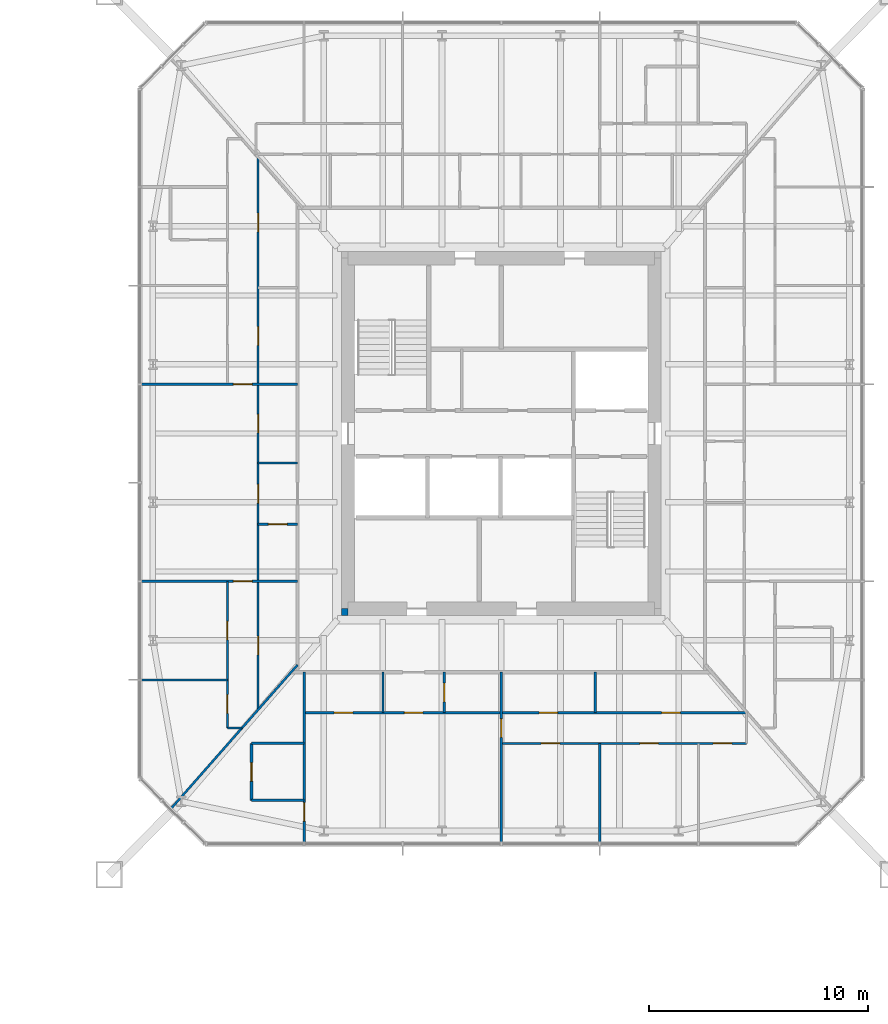
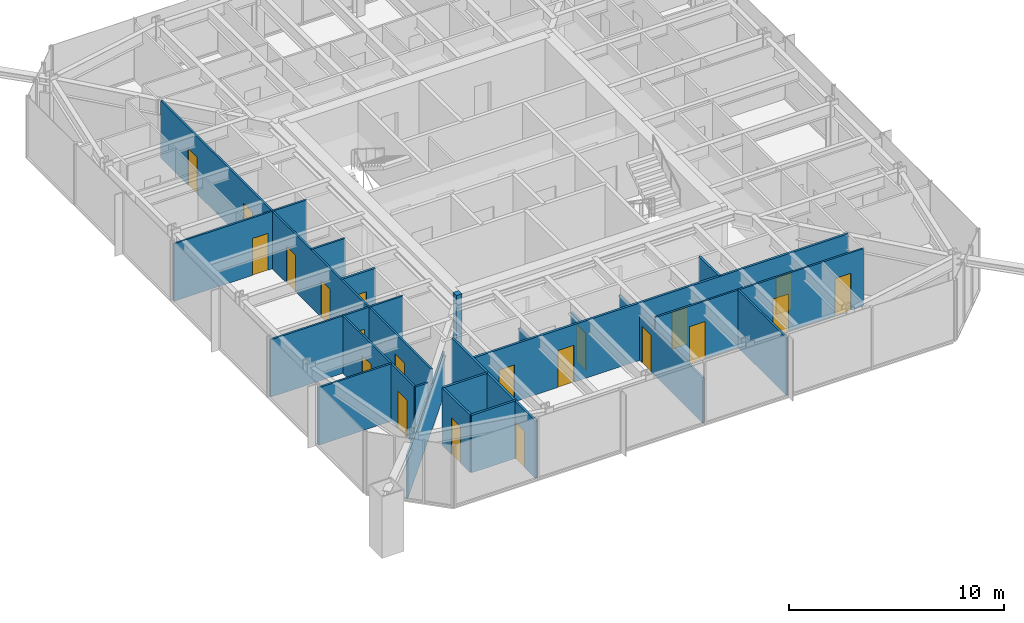
# One storey, part 18 of 26: 21 doors, 21 walls, 21 openings.
"""IFC4 building model written with IfcOpenShell, lengths in metres."""

from ifc_helpers import new_model, si_unit, direction, frame, frame_2d, origin, place, context, subcontext, project, spatial, rectangle, extrude, material, layer, layer_set, type_object, element, fill, save


model = new_model("IFC4")

# Units and contexts
model_context = context("Model", 3, precision=1e-05, world=origin(), true_north=direction((0.0, 1.0)))
body_context = subcontext(model_context, "Body", "Model", "MODEL_VIEW")
ifc_project = project(units=[si_unit("LENGTHUNIT", "METRE"), si_unit("AREAUNIT", "SQUARE_METRE"), si_unit("VOLUMEUNIT", "CUBIC_METRE"), si_unit("PLANEANGLEUNIT", "RADIAN"), si_unit("MASSUNIT", "GRAM", prefix="KILO")], contexts=[model_context])

# Site, building, storey
site_placement = place(None, origin())
site = spatial("IfcSite", under=ifc_project, at=site_placement, CompositionType="ELEMENT")
building_placement = place(site_placement, origin())
building = spatial("IfcBuilding", under=site, at=building_placement, Name="Iwan Alto Co-Living Towers", CompositionType="ELEMENT")
storey_placement = place(building_placement, frame((0.0, 0.0, 22.0)))
storey = spatial("IfcBuildingStorey", under=building, at=storey_placement, Name="L05", CompositionType="ELEMENT", Elevation=22.0)

# Wall, openings, doors
ifc_material_1 = material(Name="Gypsum board")
ifc_layer_1 = layer(ifc_material_1, 0.012451171875, Name="Board", Category="Finish")
ifc_material_2 = material(Name="Steel ASTM A1003 ST33H cold-formed studs", Category="steel")
ifc_layer_2 = layer(ifc_material_2, 0.074951171875, Name="Studs", Category="Framing")
ifc_layer_3 = layer(ifc_material_1, 0.012451171875, Name="Board", Category="Finish")
ifc_layer_set_1 = layer_set([ifc_layer_1, ifc_layer_2, ifc_layer_3], Name="PARTITION 100")
wall_type_1 = type_object("IfcWallType", Name="PARTITION 100", PredefinedType="PARTITIONING", material=ifc_layer_set_1)
wall_1_placement = place(storey_placement, frame((63.0, -14.14990234375, 0.0), z_axis=(0.0, 0.0, 1.0), x_axis=(1.0, 0.0, 0.0)))
wall_1 = element("IfcWall", 1, at=wall_1_placement, inside=storey, type_object=wall_type_1, Name="Partition L05", PredefinedType="PARTITIONING", context=body_context, shape_type="SweptSolid", body=[
    extrude(rectangle(XDim=11.199951171875, YDim=0.10009765625, at=frame_2d((5.60009765625, 0.0))), origin(), (0.0, 0.0, 1.0), 3.27001953125),
])
opening_1_placement = place(wall_1_placement, frame((1.824951171875, 0.0, 0.0)))
opening_1 = element("IfcOpeningElement", 2, at=opening_1_placement, cuts=wall_1, Name="Opening D2", PredefinedType="OPENING", context=body_context, shape_type="SweptSolid", body=[
    extrude(rectangle(XDim=0.85009765625, YDim=2.10009765625, at=frame_2d((0.425048828125, 1.050048828125))), frame((0.0, 0.06005859375, 0.0), z_axis=(0.0, -1.0, 0.0), x_axis=(1.0, 0.0, 0.0)), (0.0, 0.0, 1.0), 0.1201171875),
])
opening_2_placement = place(wall_1_placement, frame((6.324951171875, 0.0, 0.0)))
opening_2 = element("IfcOpeningElement", 3, at=opening_2_placement, cuts=wall_1, Name="Opening D2", PredefinedType="OPENING", context=body_context, shape_type="SweptSolid", body=[
    extrude(rectangle(XDim=0.85009765625, YDim=2.10009765625, at=frame_2d((0.425048828125, 1.050048828125))), frame((0.0, 0.06005859375, 0.0), z_axis=(0.0, -1.0, 0.0), x_axis=(1.0, 0.0, 0.0)), (0.0, 0.0, 1.0), 0.1201171875),
])
opening_3_placement = place(wall_1_placement, frame((9.675048828125, 0.0, 0.0)))
opening_3 = element("IfcOpeningElement", 4, at=opening_3_placement, cuts=wall_1, Name="Opening D2", PredefinedType="OPENING", context=body_context, shape_type="SweptSolid", body=[
    extrude(rectangle(XDim=0.85009765625, YDim=2.10009765625, at=frame_2d((0.425048828125, 1.050048828125))), frame((0.0, 0.06005859375, 0.0), z_axis=(0.0, -1.0, 0.0), x_axis=(1.0, 0.0, 0.0)), (0.0, 0.0, 1.0), 0.1201171875),
])
ifc_material_3 = material(Name="Timber leaf in steel frame", Category="steel")
door_type = type_object("IfcDoorType", Name="ROOM DOOR 850X2100", OperationType="SINGLE_SWING_LEFT", PredefinedType="DOOR", material=ifc_material_3)
door_1_placement = place(opening_1_placement, frame((0.85009765625, 0.0, 0.0), z_axis=(0.0, 0.0, 1.0), x_axis=(-1.0, 0.0, 0.0)))
door_1 = element("IfcDoor", 5, at=door_1_placement, inside=storey, type_object=door_type, Name="Bedroom door L05", OperationType="SINGLE_SWING_RIGHT", OverallHeight=2.10009765625, OverallWidth=0.85009765625, PredefinedType="DOOR", context=body_context, shape_type="SweptSolid", body=[
    extrude(rectangle(XDim=0.85009765625, YDim=2.10009765625, at=frame_2d((0.425048828125, 1.050048828125))), frame((0.0, 0.02490234375, 0.0), z_axis=(0.0, -1.0, 0.0), x_axis=(1.0, 0.0, 0.0)), (0.0, 0.0, 1.0), 0.050048828125),
])
fill(opening_1, door_1)
door_2_placement = place(opening_2_placement, frame((0.85009765625, 0.0, 0.0), z_axis=(0.0, 0.0, 1.0), x_axis=(-1.0, 0.0, 0.0)))
door_2 = element("IfcDoor", 6, at=door_2_placement, inside=storey, type_object=door_type, Name="Study door L05", OperationType="SINGLE_SWING_RIGHT", OverallHeight=2.10009765625, OverallWidth=0.85009765625, PredefinedType="DOOR", context=body_context, shape_type="SweptSolid", body=[
    extrude(rectangle(XDim=0.85009765625, YDim=2.10009765625, at=frame_2d((0.425048828125, 1.050048828125))), frame((0.0, 0.02490234375, 0.0), z_axis=(0.0, -1.0, 0.0), x_axis=(1.0, 0.0, 0.0)), (0.0, 0.0, 1.0), 0.050048828125),
])
fill(opening_2, door_2)
door_3_placement = place(opening_3_placement, frame((0.85009765625, 0.0, 0.0), z_axis=(0.0, 0.0, 1.0), x_axis=(-1.0, 0.0, 0.0)))
door_3 = element("IfcDoor", 7, at=door_3_placement, inside=storey, type_object=door_type, Name="Bedroom door L05", OperationType="SINGLE_SWING_RIGHT", OverallHeight=2.10009765625, OverallWidth=0.85009765625, PredefinedType="DOOR", context=body_context, shape_type="SweptSolid", body=[
    extrude(rectangle(XDim=0.85009765625, YDim=2.10009765625, at=frame_2d((0.425048828125, 1.050048828125))), frame((0.0, 0.02490234375, 0.0), z_axis=(0.0, -1.0, 0.0), x_axis=(1.0, 0.0, 0.0)), (0.0, 0.0, 1.0), 0.050048828125),
])
fill(opening_3, door_3)

# Walls
wall_2_placement = place(storey_placement, frame((50.5, -13.449951171875, 0.0), z_axis=(0.0, 0.0, 1.0), x_axis=(1.0, 0.0, 0.0)))
element("IfcWall", 8, at=wall_2_placement, inside=storey, type_object=wall_type_1, Name="Partition L05", PredefinedType="PARTITIONING", context=body_context, shape_type="SweptSolid", body=[
    extrude(rectangle(XDim=0.6640625, YDim=0.10009765625, at=frame_2d((0.33203125, 0.0))), origin(), (0.0, 0.0, 1.0), 3.27001953125),
])
wall_3_placement = place(storey_placement, frame((46.56005859375, -11.25, 0.0), z_axis=(0.0, 0.0, 1.0), x_axis=(1.0, 0.0, 0.0)))
element("IfcWall", 9, at=wall_3_placement, inside=storey, type_object=wall_type_1, Name="Partition L05", PredefinedType="PARTITIONING", context=body_context, shape_type="SweptSolid", body=[
    extrude(rectangle(XDim=3.93994140625, YDim=0.10009765625, at=frame_2d((1.969970703125, 0.0))), origin(), (0.0, 0.0, 1.0), 3.27001953125),
])

# Wall, opening, door
wall_4_placement = place(storey_placement, frame((46.56005859375, -6.75, 0.0), z_axis=(0.0, 0.0, 1.0), x_axis=(1.0, 0.0, 0.0)))
wall_4 = element("IfcWall", 10, at=wall_4_placement, inside=storey, type_object=wall_type_1, Name="Partition L05", PredefinedType="PARTITIONING", context=body_context, shape_type="SweptSolid", body=[
    extrude(rectangle(XDim=7.139892578125, YDim=0.10009765625, at=frame_2d((3.56982421875, 0.0))), origin(), (0.0, 0.0, 1.0), 3.27001953125),
])
opening_4_placement = place(wall_4_placement, frame((4.215087890625, 0.0, 0.0)))
opening_4 = element("IfcOpeningElement", 11, at=opening_4_placement, cuts=wall_4, Name="Opening D2", PredefinedType="OPENING", context=body_context, shape_type="SweptSolid", body=[
    extrude(rectangle(XDim=0.85009765625, YDim=2.10009765625, at=frame_2d((0.425048828125, 1.050048828125))), frame((0.0, 0.06005859375, 0.0), z_axis=(0.0, -1.0, 0.0), x_axis=(1.0, 0.0, 0.0)), (0.0, 0.0, 1.0), 0.1201171875),
])
door_4_placement = place(opening_4_placement, origin())
door_4 = element("IfcDoor", 12, at=door_4_placement, inside=storey, type_object=door_type, Name="Apartment hall door L05", OperationType="SINGLE_SWING_RIGHT", OverallHeight=2.10009765625, OverallWidth=0.85009765625, PredefinedType="DOOR", context=body_context, shape_type="SweptSolid", body=[
    extrude(rectangle(XDim=0.85009765625, YDim=2.10009765625, at=frame_2d((0.425048828125, 1.050048828125))), frame((0.0, 0.02490234375, 0.0), z_axis=(0.0, -1.0, 0.0), x_axis=(1.0, 0.0, 0.0)), (0.0, 0.0, 1.0), 0.050048828125),
])
fill(opening_4, door_4)

# Wall
wall_5_placement = place(storey_placement, frame((51.89990234375, -1.35009765625, 0.0), z_axis=(0.0, 0.0, 1.0), x_axis=(1.0, 0.0, 0.0)))
element("IfcWall", 13, at=wall_5_placement, inside=storey, type_object=wall_type_1, Name="Partition L05", PredefinedType="PARTITIONING", context=body_context, shape_type="SweptSolid", body=[
    extrude(rectangle(XDim=1.800048828125, YDim=0.10009765625, at=frame_2d((0.89990234375, 0.0))), origin(), (0.0, 0.0, 1.0), 3.27001953125),
])

# Wall, opening, door
wall_6_placement = place(storey_placement, frame((46.56005859375, 2.25, 0.0), z_axis=(0.0, 0.0, 1.0), x_axis=(1.0, 0.0, 0.0)))
wall_6 = element("IfcWall", 14, at=wall_6_placement, inside=storey, type_object=wall_type_1, Name="Partition L05", PredefinedType="PARTITIONING", context=body_context, shape_type="SweptSolid", body=[
    extrude(rectangle(XDim=7.139892578125, YDim=0.10009765625, at=frame_2d((3.56982421875, 0.0))), origin(), (0.0, 0.0, 1.0), 3.27001953125),
])
opening_5_placement = place(wall_6_placement, frame((4.215087890625, 0.0, 0.0)))
opening_5 = element("IfcOpeningElement", 15, at=opening_5_placement, cuts=wall_6, Name="Opening D2", PredefinedType="OPENING", context=body_context, shape_type="SweptSolid", body=[
    extrude(rectangle(XDim=0.85009765625, YDim=2.10009765625, at=frame_2d((0.425048828125, 1.050048828125))), frame((0.0, 0.06005859375, 0.0), z_axis=(0.0, -1.0, 0.0), x_axis=(1.0, 0.0, 0.0)), (0.0, 0.0, 1.0), 0.1201171875),
])
door_5_placement = place(opening_5_placement, frame((0.85009765625, 0.0, 0.0), z_axis=(0.0, 0.0, 1.0), x_axis=(-1.0, 0.0, 0.0)))
door_5 = element("IfcDoor", 16, at=door_5_placement, inside=storey, type_object=door_type, Name="Apartment hall door L05", OperationType="SINGLE_SWING_LEFT", OverallHeight=2.10009765625, OverallWidth=0.85009765625, PredefinedType="DOOR", context=body_context, shape_type="SweptSolid", body=[
    extrude(rectangle(XDim=0.85009765625, YDim=2.10009765625, at=frame_2d((0.425048828125, 1.050048828125))), frame((0.0, 0.02490234375, 0.0), z_axis=(0.0, -1.0, 0.0), x_axis=(1.0, 0.0, 0.0)), (0.0, 0.0, 1.0), 0.050048828125),
])
fill(opening_5, door_5)

# Walls
wall_7_placement = place(storey_placement, frame((47.944091796875, -17.10888671875, 0.0), z_axis=(0.0, 0.0, 1.0), x_axis=(0.660612734851, 0.750726857487, 0.0)))
element("IfcWall", 17, at=wall_7_placement, inside=storey, type_object=wall_type_1, Name="Partition L05", PredefinedType="PARTITIONING", context=body_context, shape_type="SweptSolid", body=[
    extrude(rectangle(XDim=8.712890625, YDim=0.10009765625, at=frame_2d((4.3564453125, 0.0))), origin(), (0.0, 0.0, 1.0), 2.42919921875),
])
wall_8_placement = place(storey_placement, frame((67.5, -18.68994140625, 0.0), z_axis=(0.0, 0.0, 1.0), x_axis=(0.0, 1.0, 0.0)))
element("IfcWall", 18, at=wall_8_placement, inside=storey, type_object=wall_type_1, Name="Partition L05", PredefinedType="PARTITIONING", context=body_context, shape_type="SweptSolid", body=[
    extrude(rectangle(XDim=4.5400390625, YDim=0.10009765625, at=frame_2d((2.27001953125, 0.0))), origin(), (0.0, 0.0, 1.0), 3.27001953125),
])

# Wall, opening, door
wall_9_placement = place(storey_placement, frame((63.0, -18.68994140625, 0.0), z_axis=(0.0, 0.0, 1.0), x_axis=(0.0, 1.0, 0.0)))
wall_9 = element("IfcWall", 19, at=wall_9_placement, inside=storey, type_object=wall_type_1, Name="Partition L05", PredefinedType="PARTITIONING", context=body_context, shape_type="SweptSolid", body=[
    extrude(rectangle(XDim=7.7900390625, YDim=0.10009765625, at=frame_2d((3.89501953125, 0.0))), origin(), (0.0, 0.0, 1.0), 2.586669921875),
])
opening_6_placement = place(wall_9_placement, frame((4.81494140625, 0.0, 0.0)))
opening_6 = element("IfcOpeningElement", 20, at=opening_6_placement, cuts=wall_9, Name="Opening D2", PredefinedType="OPENING", context=body_context, shape_type="SweptSolid", body=[
    extrude(rectangle(XDim=0.85009765625, YDim=2.10009765625, at=frame_2d((0.425048828125, 1.050048828125))), frame((0.0, 0.06005859375, 0.0), z_axis=(0.0, -1.0, 0.0), x_axis=(1.0, 0.0, 0.0)), (0.0, 0.0, 1.0), 0.1201171875),
])
door_6_placement = place(opening_6_placement, origin())
door_6 = element("IfcDoor", 21, at=door_6_placement, inside=storey, type_object=door_type, Name="Apartment hall door L05", OperationType="SINGLE_SWING_RIGHT", OverallHeight=2.10009765625, OverallWidth=0.85009765625, PredefinedType="DOOR", context=body_context, shape_type="SweptSolid", body=[
    extrude(rectangle(XDim=0.85009765625, YDim=2.10009765625, at=frame_2d((0.425048828125, 1.050048828125))), frame((0.0, 0.02490234375, 0.0), z_axis=(0.0, -1.0, 0.0), x_axis=(1.0, 0.0, 0.0)), (0.0, 0.0, 1.0), 0.050048828125),
])
fill(opening_6, door_6)

# Wall
wall_10_placement = place(storey_placement, frame((57.60009765625, -12.75, 0.0), z_axis=(0.0, 0.0, 1.0), x_axis=(0.0, 1.0, 0.0)))
element("IfcWall", 22, at=wall_10_placement, inside=storey, type_object=wall_type_1, Name="Partition L05", PredefinedType="PARTITIONING", context=body_context, shape_type="SweptSolid", body=[
    extrude(rectangle(XDim=1.85009765625, YDim=0.10009765625, at=frame_2d((0.925048828125, 0.0))), origin(), (0.0, 0.0, 1.0), 2.586669921875),
])

# Wall, openings, doors
wall_11_placement = place(storey_placement, frame((51.89990234375, -12.614013671875, 0.0), z_axis=(0.0, 0.0, 1.0), x_axis=(0.0, 1.0, 0.0)))
wall_11 = element("IfcWall", 23, at=wall_11_placement, inside=storey, type_object=wall_type_1, Name="Partition L05", PredefinedType="PARTITIONING", context=body_context, shape_type="SweptSolid", body=[
    extrude(rectangle(XDim=25.22802734375, YDim=0.10009765625, at=frame_2d((12.614013671875, 0.0))), origin(), (0.0, 0.0, 1.0), 3.27001953125),
])
opening_7_placement = place(wall_11_placement, frame((12.638916015625, 0.0, 0.0)))
opening_7 = element("IfcOpeningElement", 24, at=opening_7_placement, cuts=wall_11, Name="Opening D2", PredefinedType="OPENING", context=body_context, shape_type="SweptSolid", body=[
    extrude(rectangle(XDim=0.85009765625, YDim=2.10009765625, at=frame_2d((0.425048828125, 1.050048828125))), frame((0.0, 0.06005859375, 0.0), z_axis=(0.0, -1.0, 0.0), x_axis=(1.0, 0.0, 0.0)), (0.0, 0.0, 1.0), 0.1201171875),
])
opening_8_placement = place(wall_11_placement, frame((9.43896484375, 0.0, 0.0)))
opening_8 = element("IfcOpeningElement", 25, at=opening_8_placement, cuts=wall_11, Name="Opening D2", PredefinedType="OPENING", context=body_context, shape_type="SweptSolid", body=[
    extrude(rectangle(XDim=0.85009765625, YDim=2.10009765625, at=frame_2d((0.425048828125, 1.050048828125))), frame((0.0, 0.06005859375, 0.0), z_axis=(0.0, -1.0, 0.0), x_axis=(1.0, 0.0, 0.0)), (0.0, 0.0, 1.0), 0.1201171875),
])
opening_9_placement = place(wall_11_placement, frame((16.638916015625, 0.0, 0.0)))
opening_9 = element("IfcOpeningElement", 26, at=opening_9_placement, cuts=wall_11, Name="Opening D2", PredefinedType="OPENING", context=body_context, shape_type="SweptSolid", body=[
    extrude(rectangle(XDim=0.85009765625, YDim=2.10009765625, at=frame_2d((0.425048828125, 1.050048828125))), frame((0.0, 0.06005859375, 0.0), z_axis=(0.0, -1.0, 0.0), x_axis=(1.0, 0.0, 0.0)), (0.0, 0.0, 1.0), 0.1201171875),
])
opening_10_placement = place(wall_11_placement, frame((21.821044921875, 0.0, 0.0)))
opening_10 = element("IfcOpeningElement", 27, at=opening_10_placement, cuts=wall_11, Name="Opening D2", PredefinedType="OPENING", context=body_context, shape_type="SweptSolid", body=[
    extrude(rectangle(XDim=0.85009765625, YDim=2.10009765625, at=frame_2d((0.425048828125, 1.050048828125))), frame((0.0, 0.06005859375, 0.0), z_axis=(0.0, -1.0, 0.0), x_axis=(1.0, 0.0, 0.0)), (0.0, 0.0, 1.0), 0.1201171875),
])
opening_11_placement = place(wall_11_placement, frame((2.507080078125, 0.0, 0.0)))
opening_11 = element("IfcOpeningElement", 28, at=opening_11_placement, cuts=wall_11, Name="Opening D2", PredefinedType="OPENING", context=body_context, shape_type="SweptSolid", body=[
    extrude(rectangle(XDim=0.85009765625, YDim=2.10009765625, at=frame_2d((0.425048828125, 1.050048828125))), frame((0.0, 0.06005859375, 0.0), z_axis=(0.0, -1.0, 0.0), x_axis=(1.0, 0.0, 0.0)), (0.0, 0.0, 1.0), 0.1201171875),
])
door_7_placement = place(opening_7_placement, origin())
door_7 = element("IfcDoor", 29, at=door_7_placement, inside=storey, type_object=door_type, Name="Kitchen door L05", OperationType="SINGLE_SWING_RIGHT", OverallHeight=2.10009765625, OverallWidth=0.85009765625, PredefinedType="DOOR", context=body_context, shape_type="SweptSolid", body=[
    extrude(rectangle(XDim=0.85009765625, YDim=2.10009765625, at=frame_2d((0.425048828125, 1.050048828125))), frame((0.0, 0.02490234375, 0.0), z_axis=(0.0, -1.0, 0.0), x_axis=(1.0, 0.0, 0.0)), (0.0, 0.0, 1.0), 0.050048828125),
])
fill(opening_7, door_7)
door_8_placement = place(opening_8_placement, origin())
door_8 = element("IfcDoor", 30, at=door_8_placement, inside=storey, type_object=door_type, Name="Apartment foyer door L05", OperationType="SINGLE_SWING_LEFT", OverallHeight=2.10009765625, OverallWidth=0.85009765625, PredefinedType="DOOR", context=body_context, shape_type="SweptSolid", body=[
    extrude(rectangle(XDim=0.85009765625, YDim=2.10009765625, at=frame_2d((0.425048828125, 1.050048828125))), frame((0.0, 0.02490234375, 0.0), z_axis=(0.0, -1.0, 0.0), x_axis=(1.0, 0.0, 0.0)), (0.0, 0.0, 1.0), 0.050048828125),
])
fill(opening_8, door_8)
door_9_placement = place(opening_9_placement, frame((0.85009765625, 0.0, 0.0), z_axis=(0.0, 0.0, 1.0), x_axis=(-1.0, 0.0, 0.0)))
door_9 = element("IfcDoor", 31, at=door_9_placement, inside=storey, type_object=door_type, Name="Utility room door L05", OperationType="SINGLE_SWING_RIGHT", OverallHeight=2.10009765625, OverallWidth=0.85009765625, PredefinedType="DOOR", context=body_context, shape_type="SweptSolid", body=[
    extrude(rectangle(XDim=0.85009765625, YDim=2.10009765625, at=frame_2d((0.425048828125, 1.050048828125))), frame((0.0, 0.02490234375, 0.0), z_axis=(0.0, -1.0, 0.0), x_axis=(1.0, 0.0, 0.0)), (0.0, 0.0, 1.0), 0.050048828125),
])
fill(opening_9, door_9)
door_10_placement = place(opening_10_placement, frame((0.85009765625, 0.0, 0.0), z_axis=(0.0, 0.0, 1.0), x_axis=(-1.0, 0.0, 0.0)))
door_10 = element("IfcDoor", 32, at=door_10_placement, inside=storey, type_object=door_type, Name="Store room door L05", OperationType="SINGLE_SWING_LEFT", OverallHeight=2.10009765625, OverallWidth=0.85009765625, PredefinedType="DOOR", context=body_context, shape_type="SweptSolid", body=[
    extrude(rectangle(XDim=0.85009765625, YDim=2.10009765625, at=frame_2d((0.425048828125, 1.050048828125))), frame((0.0, 0.02490234375, 0.0), z_axis=(0.0, -1.0, 0.0), x_axis=(1.0, 0.0, 0.0)), (0.0, 0.0, 1.0), 0.050048828125),
])
fill(opening_10, door_10)
door_11_placement = place(opening_11_placement, frame((0.85009765625, 0.0, 0.0), z_axis=(0.0, 0.0, 1.0), x_axis=(-1.0, 0.0, 0.0)))
door_11 = element("IfcDoor", 33, at=door_11_placement, inside=storey, type_object=door_type, Name="Utility room door L05", OperationType="SINGLE_SWING_RIGHT", OverallHeight=2.10009765625, OverallWidth=0.85009765625, PredefinedType="DOOR", context=body_context, shape_type="SweptSolid", body=[
    extrude(rectangle(XDim=0.85009765625, YDim=2.10009765625, at=frame_2d((0.425048828125, 1.050048828125))), frame((0.0, 0.02490234375, 0.0), z_axis=(0.0, -1.0, 0.0), x_axis=(1.0, 0.0, 0.0)), (0.0, 0.0, 1.0), 0.050048828125),
])
fill(opening_11, door_11)

wall_12_placement = place(storey_placement, frame((50.5, -13.449951171875, 0.0), z_axis=(0.0, 0.0, 1.0), x_axis=(0.0, 1.0, 0.0)))
wall_12 = element("IfcWall", 34, at=wall_12_placement, inside=storey, type_object=wall_type_1, Name="Partition L05", PredefinedType="PARTITIONING", context=body_context, shape_type="SweptSolid", body=[
    extrude(rectangle(XDim=6.699951171875, YDim=0.10009765625, at=frame_2d((3.35009765625, 0.0))), origin(), (0.0, 0.0, 1.0), 3.27001953125),
])
opening_12_placement = place(wall_12_placement, frame((4.02490234375, 0.0, 0.0)))
opening_12 = element("IfcOpeningElement", 35, at=opening_12_placement, cuts=wall_12, Name="Opening D2", PredefinedType="OPENING", context=body_context, shape_type="SweptSolid", body=[
    extrude(rectangle(XDim=0.85009765625, YDim=2.10009765625, at=frame_2d((0.425048828125, 1.050048828125))), frame((0.0, 0.06005859375, 0.0), z_axis=(0.0, -1.0, 0.0), x_axis=(1.0, 0.0, 0.0)), (0.0, 0.0, 1.0), 0.1201171875),
])
opening_13_placement = place(wall_12_placement, frame((0.675048828125, 0.0, 0.0)))
opening_13 = element("IfcOpeningElement", 36, at=opening_13_placement, cuts=wall_12, Name="Opening D2", PredefinedType="OPENING", context=body_context, shape_type="SweptSolid", body=[
    extrude(rectangle(XDim=0.85009765625, YDim=2.10009765625, at=frame_2d((0.425048828125, 1.050048828125))), frame((0.0, 0.06005859375, 0.0), z_axis=(0.0, -1.0, 0.0), x_axis=(1.0, 0.0, 0.0)), (0.0, 0.0, 1.0), 0.1201171875),
])
door_12_placement = place(opening_12_placement, origin())
door_12 = element("IfcDoor", 37, at=door_12_placement, inside=storey, type_object=door_type, Name="Bedroom door L05", OperationType="SINGLE_SWING_LEFT", OverallHeight=2.10009765625, OverallWidth=0.85009765625, PredefinedType="DOOR", context=body_context, shape_type="SweptSolid", body=[
    extrude(rectangle(XDim=0.85009765625, YDim=2.10009765625, at=frame_2d((0.425048828125, 1.050048828125))), frame((0.0, 0.02490234375, 0.0), z_axis=(0.0, -1.0, 0.0), x_axis=(1.0, 0.0, 0.0)), (0.0, 0.0, 1.0), 0.050048828125),
])
fill(opening_12, door_12)
door_13_placement = place(opening_13_placement, origin())
door_13 = element("IfcDoor", 38, at=door_13_placement, inside=storey, type_object=door_type, Name="Bedroom door L05", OperationType="SINGLE_SWING_RIGHT", OverallHeight=2.10009765625, OverallWidth=0.85009765625, PredefinedType="DOOR", context=body_context, shape_type="SweptSolid", body=[
    extrude(rectangle(XDim=0.85009765625, YDim=2.10009765625, at=frame_2d((0.425048828125, 1.050048828125))), frame((0.0, 0.02490234375, 0.0), z_axis=(0.0, -1.0, 0.0), x_axis=(1.0, 0.0, 0.0)), (0.0, 0.0, 1.0), 0.050048828125),
])
fill(opening_13, door_13)

# Walls
ifc_material_4 = material(Name="Concrete f'c 70 MPa", Category="concrete")
ifc_layer_4 = layer(ifc_material_4, 0.300048828125)
ifc_layer_set_2 = layer_set([ifc_layer_4], Name="T2 CORE CORNER FILL 300")
wall_type_2 = type_object("IfcWallType", Name="T2 CORE CORNER FILL 300", PredefinedType="SOLIDWALL", material=ifc_layer_set_2)
wall_13_placement = place(storey_placement, frame((55.699951171875, -8.14990234375, 0.0), z_axis=(0.0, 0.0, 1.0), x_axis=(1.0, 0.0, 0.0)))
element("IfcWall", 39, at=wall_13_placement, inside=storey, type_object=wall_type_2, Name="T2 core corner SW L05", PredefinedType="SOLIDWALL", context=body_context, shape_type="SweptSolid", body=[
    extrude(rectangle(XDim=0.300048828125, YDim=0.300048828125, at=frame_2d((0.14990234375, 0.0))), origin(), (0.0, 0.0, 1.0), 3.5),
])
ifc_material_5 = material(Name="Cement board")
ifc_layer_5 = layer(ifc_material_5, 0.012451171875, Name="Board", Category="Finish")
ifc_layer_6 = layer(ifc_material_2, 0.094970703125, Name="Studs", Category="Framing")
ifc_layer_7 = layer(ifc_material_5, 0.012451171875, Name="Board", Category="Finish")
ifc_layer_set_3 = layer_set([ifc_layer_5, ifc_layer_6, ifc_layer_7], Name="WET AREA PARTITION 120")
wall_type_3 = type_object("IfcWallType", Name="WET AREA PARTITION 120", PredefinedType="PARTITIONING", material=ifc_layer_set_3)
for number, where, z_axis, x_axis, name in (
    (40, (51.60009765625, -16.75, 0.0), (0.0, 0.0, 1.0), (1.0, 0.0, 0.0), "Partition L05"),
    (41, (51.60009765625, -14.14990234375, 0.0), (0.0, 0.0, 1.0), (1.0, 0.0, 0.0), "Partition L05"),
):
    element("IfcWall", number, at=place(storey_placement, frame(where, z_axis=z_axis, x_axis=x_axis)), inside=storey, type_object=wall_type_3, Name=name, PredefinedType="PARTITIONING", context=body_context, shape_type="SweptSolid", body=[
        extrude(rectangle(XDim=2.39990234375, YDim=0.1201171875, at=frame_2d((1.199951171875, 0.0))), origin(), (0.0, 0.0, 1.0), 3.27001953125),
    ])

# Wall, openings, doors
wall_14_placement = place(storey_placement, frame((54.0, -12.75, 0.0), z_axis=(0.0, 0.0, 1.0), x_axis=(1.0, 0.0, 0.0)))
wall_14 = element("IfcWall", 42, at=wall_14_placement, inside=storey, type_object=wall_type_3, Name="Partition L05", PredefinedType="PARTITIONING", context=body_context, shape_type="SweptSolid", body=[
    extrude(rectangle(XDim=20.199951171875, YDim=0.1201171875, at=frame_2d((10.10009765625, 0.0))), origin(), (0.0, 0.0, 1.0), 3.27001953125),
])
opening_14_placement = place(wall_14_placement, frame((1.375, 0.0, 0.0)))
opening_14 = element("IfcOpeningElement", 43, at=opening_14_placement, cuts=wall_14, Name="Opening D2", PredefinedType="OPENING", context=body_context, shape_type="SweptSolid", body=[
    extrude(rectangle(XDim=0.85009765625, YDim=2.10009765625, at=frame_2d((0.425048828125, 1.050048828125))), frame((0.0, 0.070068359375, 0.0), z_axis=(0.0, -1.0, 0.0), x_axis=(1.0, 0.0, 0.0)), (0.0, 0.0, 1.0), 0.14013671875),
])
opening_15_placement = place(wall_14_placement, frame((4.574951171875, 0.0, 0.0)))
opening_15 = element("IfcOpeningElement", 44, at=opening_15_placement, cuts=wall_14, Name="Opening D2", PredefinedType="OPENING", context=body_context, shape_type="SweptSolid", body=[
    extrude(rectangle(XDim=0.85009765625, YDim=2.10009765625, at=frame_2d((0.425048828125, 1.050048828125))), frame((0.0, 0.070068359375, 0.0), z_axis=(0.0, -1.0, 0.0), x_axis=(1.0, 0.0, 0.0)), (0.0, 0.0, 1.0), 0.14013671875),
])
opening_16_placement = place(wall_14_placement, frame((10.72509765625, 0.0, 0.0)))
opening_16 = element("IfcOpeningElement", 45, at=opening_16_placement, cuts=wall_14, Name="Opening D2", PredefinedType="OPENING", context=body_context, shape_type="SweptSolid", body=[
    extrude(rectangle(XDim=0.85009765625, YDim=2.10009765625, at=frame_2d((0.425048828125, 1.050048828125))), frame((0.0, 0.070068359375, 0.0), z_axis=(0.0, -1.0, 0.0), x_axis=(1.0, 0.0, 0.0)), (0.0, 0.0, 1.0), 0.14013671875),
])
opening_17_placement = place(wall_14_placement, frame((16.324951171875, 0.0, 0.0)))
opening_17 = element("IfcOpeningElement", 46, at=opening_17_placement, cuts=wall_14, Name="Opening D2", PredefinedType="OPENING", context=body_context, shape_type="SweptSolid", body=[
    extrude(rectangle(XDim=0.85009765625, YDim=2.10009765625, at=frame_2d((0.425048828125, 1.050048828125))), frame((0.0, 0.070068359375, 0.0), z_axis=(0.0, -1.0, 0.0), x_axis=(1.0, 0.0, 0.0)), (0.0, 0.0, 1.0), 0.14013671875),
])
door_14_placement = place(opening_14_placement, frame((0.85009765625, 0.0, 0.0), z_axis=(0.0, 0.0, 1.0), x_axis=(-1.0, 0.0, 0.0)))
door_14 = element("IfcDoor", 47, at=door_14_placement, inside=storey, type_object=door_type, Name="Kitchen door L05", OperationType="SINGLE_SWING_RIGHT", OverallHeight=2.10009765625, OverallWidth=0.85009765625, PredefinedType="DOOR", context=body_context, shape_type="SweptSolid", body=[
    extrude(rectangle(XDim=0.85009765625, YDim=2.10009765625, at=frame_2d((0.425048828125, 1.050048828125))), frame((0.0, 0.02490234375, 0.0), z_axis=(0.0, -1.0, 0.0), x_axis=(1.0, 0.0, 0.0)), (0.0, 0.0, 1.0), 0.050048828125),
])
fill(opening_14, door_14)
door_15_placement = place(opening_15_placement, frame((0.85009765625, 0.0, 0.0), z_axis=(0.0, 0.0, 1.0), x_axis=(-1.0, 0.0, 0.0)))
door_15 = element("IfcDoor", 48, at=door_15_placement, inside=storey, type_object=door_type, Name="Apartment foyer door L05", OperationType="SINGLE_SWING_LEFT", OverallHeight=2.10009765625, OverallWidth=0.85009765625, PredefinedType="DOOR", context=body_context, shape_type="SweptSolid", body=[
    extrude(rectangle(XDim=0.85009765625, YDim=2.10009765625, at=frame_2d((0.425048828125, 1.050048828125))), frame((0.0, 0.02490234375, 0.0), z_axis=(0.0, -1.0, 0.0), x_axis=(1.0, 0.0, 0.0)), (0.0, 0.0, 1.0), 0.050048828125),
])
fill(opening_15, door_15)
door_16_placement = place(opening_16_placement, origin())
door_16 = element("IfcDoor", 49, at=door_16_placement, inside=storey, type_object=door_type, Name="Utility room door L05", OperationType="SINGLE_SWING_LEFT", OverallHeight=2.10009765625, OverallWidth=0.85009765625, PredefinedType="DOOR", context=body_context, shape_type="SweptSolid", body=[
    extrude(rectangle(XDim=0.85009765625, YDim=2.10009765625, at=frame_2d((0.425048828125, 1.050048828125))), frame((0.0, 0.02490234375, 0.0), z_axis=(0.0, -1.0, 0.0), x_axis=(1.0, 0.0, 0.0)), (0.0, 0.0, 1.0), 0.050048828125),
])
fill(opening_16, door_16)
door_17_placement = place(opening_17_placement, origin())
door_17 = element("IfcDoor", 50, at=door_17_placement, inside=storey, type_object=door_type, Name="Store room door L05", OperationType="SINGLE_SWING_RIGHT", OverallHeight=2.10009765625, OverallWidth=0.85009765625, PredefinedType="DOOR", context=body_context, shape_type="SweptSolid", body=[
    extrude(rectangle(XDim=0.85009765625, YDim=2.10009765625, at=frame_2d((0.425048828125, 1.050048828125))), frame((0.0, 0.02490234375, 0.0), z_axis=(0.0, -1.0, 0.0), x_axis=(1.0, 0.0, 0.0)), (0.0, 0.0, 1.0), 0.050048828125),
])
fill(opening_17, door_17)

# Wall, opening, door
wall_15_placement = place(storey_placement, frame((51.89990234375, -4.14990234375, 0.0), z_axis=(0.0, 0.0, 1.0), x_axis=(1.0, 0.0, 0.0)))
wall_15 = element("IfcWall", 51, at=wall_15_placement, inside=storey, type_object=wall_type_3, Name="Partition L05", PredefinedType="PARTITIONING", context=body_context, shape_type="SweptSolid", body=[
    extrude(rectangle(XDim=1.800048828125, YDim=0.1201171875, at=frame_2d((0.89990234375, 0.0))), origin(), (0.0, 0.0, 1.0), 3.27001953125),
])
opening_18_placement = place(wall_15_placement, frame((0.47509765625, 0.0, 0.0)))
opening_18 = element("IfcOpeningElement", 52, at=opening_18_placement, cuts=wall_15, Name="Opening D2", PredefinedType="OPENING", context=body_context, shape_type="SweptSolid", body=[
    extrude(rectangle(XDim=0.85009765625, YDim=2.10009765625, at=frame_2d((0.425048828125, 1.050048828125))), frame((0.0, 0.070068359375, 0.0), z_axis=(0.0, -1.0, 0.0), x_axis=(1.0, 0.0, 0.0)), (0.0, 0.0, 1.0), 0.14013671875),
])
door_18_placement = place(opening_18_placement, frame((0.85009765625, 0.0, 0.0), z_axis=(0.0, 0.0, 1.0), x_axis=(-1.0, 0.0, 0.0)))
door_18 = element("IfcDoor", 53, at=door_18_placement, inside=storey, type_object=door_type, Name="Bathroom door L05", OperationType="SINGLE_SWING_RIGHT", OverallHeight=2.10009765625, OverallWidth=0.85009765625, PredefinedType="DOOR", context=body_context, shape_type="SweptSolid", body=[
    extrude(rectangle(XDim=0.85009765625, YDim=2.10009765625, at=frame_2d((0.425048828125, 1.050048828125))), frame((0.0, 0.02490234375, 0.0), z_axis=(0.0, -1.0, 0.0), x_axis=(1.0, 0.0, 0.0)), (0.0, 0.0, 1.0), 0.050048828125),
])
fill(opening_18, door_18)

# Wall
wall_16_placement = place(storey_placement, frame((67.300048828125, -12.75, 0.0), z_axis=(0.0, 0.0, 1.0), x_axis=(0.0, 1.0, 0.0)))
element("IfcWall", 54, at=wall_16_placement, inside=storey, type_object=wall_type_3, Name="Partition L05", PredefinedType="PARTITIONING", context=body_context, shape_type="SweptSolid", body=[
    extrude(rectangle(XDim=1.85009765625, YDim=0.1201171875, at=frame_2d((0.925048828125, 0.0))), origin(), (0.0, 0.0, 1.0), 3.27001953125),
])

# Wall, opening, door
wall_17_placement = place(storey_placement, frame((60.39990234375, -12.75, 0.0), z_axis=(0.0, 0.0, 1.0), x_axis=(0.0, 1.0, 0.0)))
wall_17 = element("IfcWall", 55, at=wall_17_placement, inside=storey, type_object=wall_type_3, Name="Partition L05", PredefinedType="PARTITIONING", context=body_context, shape_type="SweptSolid", body=[
    extrude(rectangle(XDim=1.85009765625, YDim=0.1201171875, at=frame_2d((0.925048828125, 0.0))), origin(), (0.0, 0.0, 1.0), 2.508056640625),
])
opening_19_placement = place(wall_17_placement, frame((0.5, 0.0, 0.0)))
opening_19 = element("IfcOpeningElement", 56, at=opening_19_placement, cuts=wall_17, Name="Opening D2", PredefinedType="OPENING", context=body_context, shape_type="SweptSolid", body=[
    extrude(rectangle(XDim=0.85009765625, YDim=2.10009765625, at=frame_2d((0.425048828125, 1.050048828125))), frame((0.0, 0.070068359375, 0.0), z_axis=(0.0, -1.0, 0.0), x_axis=(1.0, 0.0, 0.0)), (0.0, 0.0, 1.0), 0.14013671875),
])
door_19_placement = place(opening_19_placement, frame((0.85009765625, 0.0, 0.0), z_axis=(0.0, 0.0, 1.0), x_axis=(-1.0, 0.0, 0.0)))
door_19 = element("IfcDoor", 57, at=door_19_placement, inside=storey, type_object=door_type, Name="Bathroom door L05", OperationType="SINGLE_SWING_RIGHT", OverallHeight=2.10009765625, OverallWidth=0.85009765625, PredefinedType="DOOR", context=body_context, shape_type="SweptSolid", body=[
    extrude(rectangle(XDim=0.85009765625, YDim=2.10009765625, at=frame_2d((0.425048828125, 1.050048828125))), frame((0.0, 0.02490234375, 0.0), z_axis=(0.0, -1.0, 0.0), x_axis=(1.0, 0.0, 0.0)), (0.0, 0.0, 1.0), 0.050048828125),
])
fill(opening_19, door_19)

wall_18_placement = place(storey_placement, frame((54.0, -18.68994140625, 0.0), z_axis=(0.0, 0.0, 1.0), x_axis=(0.0, 1.0, 0.0)))
wall_18 = element("IfcWall", 58, at=wall_18_placement, inside=storey, type_object=wall_type_3, Name="Partition L05", PredefinedType="PARTITIONING", context=body_context, shape_type="SweptSolid", body=[
    extrude(rectangle(XDim=7.7900390625, YDim=0.1201171875, at=frame_2d((3.89501953125, 0.0))), origin(), (0.0, 0.0, 1.0), 3.27001953125),
])
opening_20_placement = place(wall_18_placement, frame((0.989990234375, 0.0, 0.0)))
opening_20 = element("IfcOpeningElement", 59, at=opening_20_placement, cuts=wall_18, Name="Opening D2", PredefinedType="OPENING", context=body_context, shape_type="SweptSolid", body=[
    extrude(rectangle(XDim=0.85009765625, YDim=2.10009765625, at=frame_2d((0.425048828125, 1.050048828125))), frame((0.0, 0.070068359375, 0.0), z_axis=(0.0, -1.0, 0.0), x_axis=(1.0, 0.0, 0.0)), (0.0, 0.0, 1.0), 0.14013671875),
])
door_20_placement = place(opening_20_placement, frame((0.85009765625, 0.0, 0.0), z_axis=(0.0, 0.0, 1.0), x_axis=(-1.0, 0.0, 0.0)))
door_20 = element("IfcDoor", 60, at=door_20_placement, inside=storey, type_object=door_type, Name="Bedroom door L05", OperationType="SINGLE_SWING_RIGHT", OverallHeight=2.10009765625, OverallWidth=0.85009765625, PredefinedType="DOOR", context=body_context, shape_type="SweptSolid", body=[
    extrude(rectangle(XDim=0.85009765625, YDim=2.10009765625, at=frame_2d((0.425048828125, 1.050048828125))), frame((0.0, 0.02490234375, 0.0), z_axis=(0.0, -1.0, 0.0), x_axis=(1.0, 0.0, 0.0)), (0.0, 0.0, 1.0), 0.050048828125),
])
fill(opening_20, door_20)

wall_19_placement = place(storey_placement, frame((51.60009765625, -16.75, 0.0), z_axis=(0.0, 0.0, 1.0), x_axis=(0.0, 1.0, 0.0)))
wall_19 = element("IfcWall", 61, at=wall_19_placement, inside=storey, type_object=wall_type_3, Name="Partition L05", PredefinedType="PARTITIONING", context=body_context, shape_type="SweptSolid", body=[
    extrude(rectangle(XDim=2.60009765625, YDim=0.1201171875, at=frame_2d((1.300048828125, 0.0))), origin(), (0.0, 0.0, 1.0), 3.27001953125),
])
opening_21_placement = place(wall_19_placement, frame((0.875, 0.0, 0.0)))
opening_21 = element("IfcOpeningElement", 62, at=opening_21_placement, cuts=wall_19, Name="Opening D2", PredefinedType="OPENING", context=body_context, shape_type="SweptSolid", body=[
    extrude(rectangle(XDim=0.85009765625, YDim=2.10009765625, at=frame_2d((0.425048828125, 1.050048828125))), frame((0.0, 0.070068359375, 0.0), z_axis=(0.0, -1.0, 0.0), x_axis=(1.0, 0.0, 0.0)), (0.0, 0.0, 1.0), 0.14013671875),
])
door_21_placement = place(opening_21_placement, origin())
door_21 = element("IfcDoor", 63, at=door_21_placement, inside=storey, type_object=door_type, Name="En-suite shower room door L05", OperationType="SINGLE_SWING_RIGHT", OverallHeight=2.10009765625, OverallWidth=0.85009765625, PredefinedType="DOOR", context=body_context, shape_type="SweptSolid", body=[
    extrude(rectangle(XDim=0.85009765625, YDim=2.10009765625, at=frame_2d((0.425048828125, 1.050048828125))), frame((0.0, 0.02490234375, 0.0), z_axis=(0.0, -1.0, 0.0), x_axis=(1.0, 0.0, 0.0)), (0.0, 0.0, 1.0), 0.050048828125),
])
fill(opening_21, door_21)

save(model, "model.ifc")
